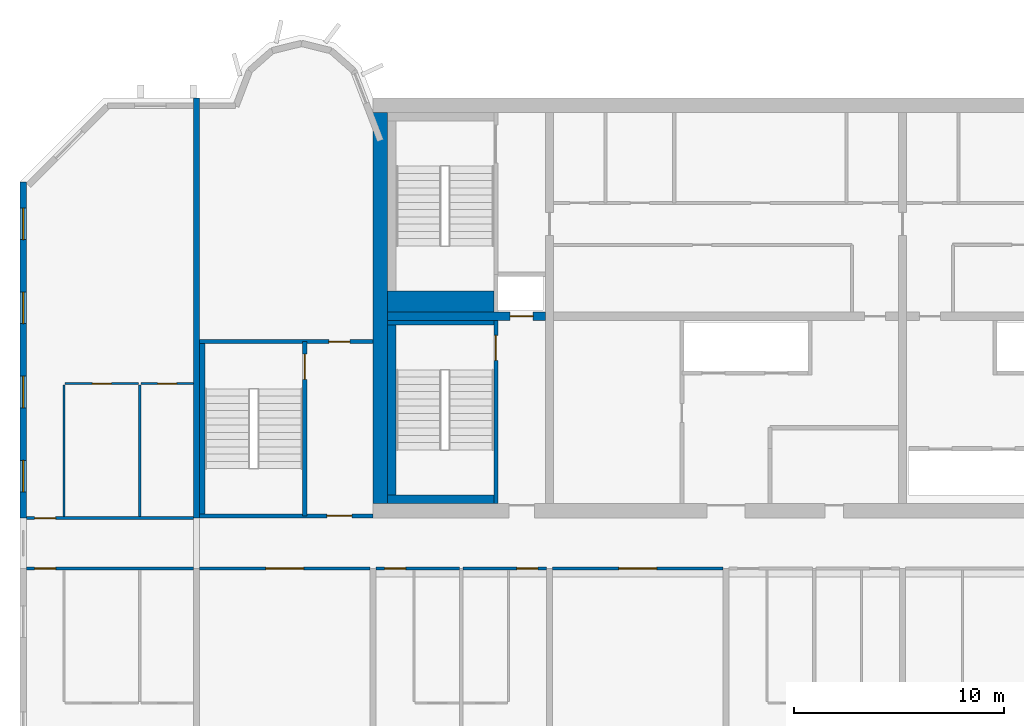
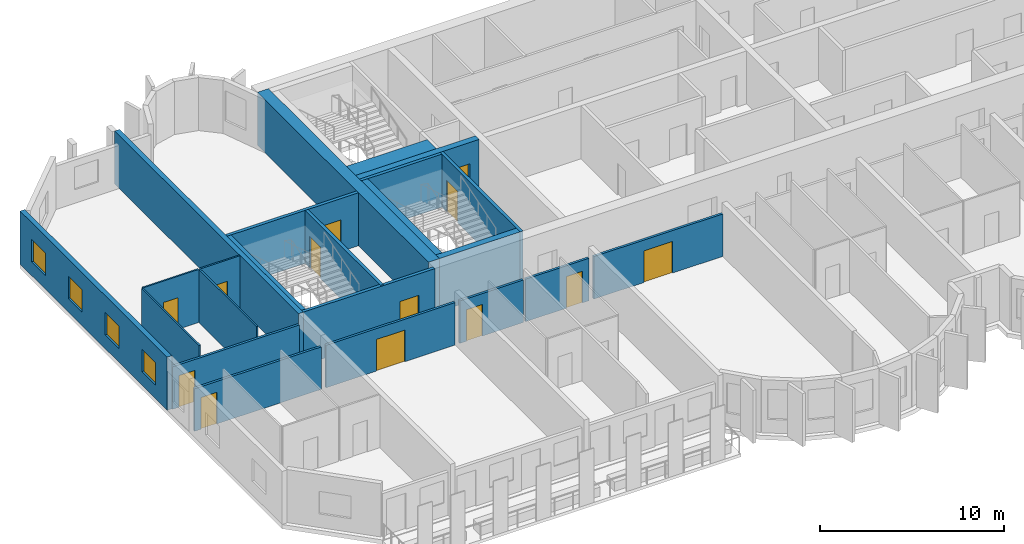
# One storey, part 3 of 13: 23 walls, 13 doors, 4 windows, 17 openings.
"""IFC4 building model written with IfcOpenShell, lengths in metres."""

from ifc_helpers import new_model, si_unit, direction, frame, frame_2d, origin, place, context, subcontext, project, spatial, rectangle, extrude, source, transform, mapped, material, layer, layer_set, type_object, element, fill, save


model = new_model("IFC4")

# Units and contexts
model_context = context("Model", 3, precision=1e-05, world=origin(), true_north=direction((0.0, 1.0)))
body_context = subcontext(model_context, "Body", "Model", "MODEL_VIEW")
ifc_project = project(units=[si_unit("LENGTHUNIT", "METRE"), si_unit("AREAUNIT", "SQUARE_METRE"), si_unit("VOLUMEUNIT", "CUBIC_METRE"), si_unit("PLANEANGLEUNIT", "RADIAN"), si_unit("MASSUNIT", "GRAM", prefix="KILO")], contexts=[model_context])

# Site, building, storey
site_placement = place(None, origin())
site = spatial("IfcSite", under=ifc_project, at=site_placement, CompositionType="ELEMENT")
building_placement = place(site_placement, origin())
building = spatial("IfcBuilding", under=site, at=building_placement, Name="Vanashikhar Sky Hotel", CompositionType="ELEMENT")
storey_placement = place(building_placement, frame((0.0, 0.0, 159.199951171875)))
storey = spatial("IfcBuildingStorey", under=building, at=storey_placement, Name="L38", CompositionType="ELEMENT", Elevation=159.199951171875)

# Wall
ifc_material_1 = material(Name="Concrete M60", Category="concrete")
ifc_layer_1 = layer(ifc_material_1, 0.699951171875)
ifc_layer_set_1 = layer_set([ifc_layer_1], Name="RC core shell wall 700 Concrete M60")
wall_type_1 = type_object("IfcWallType", Name="RC core shell wall 700 Concrete M60", PredefinedType="SHEAR", material=ifc_layer_set_1)
shared_shape_1 = source(origin(), body_context, "Body", "SweptSolid", [
    extrude(rectangle(XDim=18.60009765625, YDim=0.699951171875, at=frame_2d((9.300048828125, 0.0))), origin(), (0.0, 0.0, 1.0), 3.52001953125),
])
wall_1_placement = place(storey_placement, frame((25.550048828125, 22.699951171875, 0.0), z_axis=(0.0, 0.0, 1.0), x_axis=(0.0, 1.0, 0.0)))
element("IfcWall", 1, at=wall_1_placement, inside=storey, type_object=wall_type_1, Name="KW-L38-KW", PredefinedType="SHEAR", context=body_context, shape_type="MappedRepresentation", body=[
    mapped(shared_shape_1, transform((0.0, 0.0, 0.0), scale=1.0)),
])

# Wall, opening, door
ifc_layer_2 = layer(ifc_material_1, 0.39990234375)
ifc_layer_set_2 = layer_set([ifc_layer_2], Name="RC core inner wall 400 Concrete M60")
wall_type_2 = type_object("IfcWallType", Name="RC core inner wall 400 Concrete M60", PredefinedType="SHEAR", material=ifc_layer_set_2)
shared_shape_2 = source(origin(), body_context, "Body", "SweptSolid", [
    extrude(rectangle(XDim=7.5, YDim=0.39990234375, at=frame_2d((3.75, 0.0))), origin(), (0.0, 0.0, 1.0), 3.52001953125),
])
wall_2_placement = place(storey_placement, frame((25.89990234375, 31.60009765625, 0.0), z_axis=(0.0, 0.0, 1.0), x_axis=(1.0, 0.0, 0.0)))
wall_2 = element("IfcWall", 2, at=wall_2_placement, inside=storey, type_object=wall_type_2, Name="KW-L38-KY1", PredefinedType="SHEAR", context=body_context, shape_type="MappedRepresentation", body=[
    mapped(shared_shape_2, transform((0.0, 0.0, 0.0), scale=1.0)),
])
shared_shape_3 = source(origin(), body_context, "Body", "SweptSolid", [
    extrude(rectangle(XDim=1.10009765625, YDim=2.10009765625, at=frame_2d((0.550048828125, 1.050048828125))), frame((0.0, 0.2099609375, 0.0), z_axis=(0.0, -1.0, 0.0), x_axis=(1.0, 0.0, 0.0)), (0.0, 0.0, 1.0), 0.419921875),
])
opening_1_placement = place(wall_2_placement, frame((5.824951171875, 0.0, 0.0)))
opening_1 = element("IfcOpeningElement", 3, at=opening_1_placement, cuts=wall_2, Name="Opening LD", PredefinedType="OPENING", context=body_context, shape_type="MappedRepresentation", body=[
    mapped(shared_shape_3, transform((0.0, 0.0, 0.0), scale=1.0)),
])
ifc_material_2 = material(Name="Stainless steel", Category="steel")
door_type_1 = type_object("IfcDoorType", Name="Lift landing door 1100", OperationType="NOTDEFINED", PredefinedType="DOOR", material=ifc_material_2)
shared_shape_4 = source(origin(), body_context, "Body", "SweptSolid", [
    extrude(rectangle(XDim=1.10009765625, YDim=2.10009765625, at=frame_2d((0.550048828125, 1.050048828125))), frame((0.0, 0.02490234375, 0.0), z_axis=(0.0, -1.0, 0.0), x_axis=(1.0, 0.0, 0.0)), (0.0, 0.0, 1.0), 0.050048828125),
])
door_1_placement = place(opening_1_placement, origin())
door_1 = element("IfcDoor", 4, at=door_1_placement, inside=storey, type_object=door_type_1, Name="Lift landing door 1100", OperationType="SLIDING_TO_RIGHT", OverallHeight=2.10009765625, OverallWidth=1.10009765625, PredefinedType="DOOR", context=body_context, shape_type="MappedRepresentation", body=[
    mapped(shared_shape_4, transform((0.0, 0.0, 0.0), scale=1.0)),
])
fill(opening_1, door_1)

# Wall, openings, windows
ifc_layer_3 = layer(ifc_material_1, 0.300048828125)
ifc_layer_set_3 = layer_set([ifc_layer_3], Name="RC shear wall 300 Concrete M60")
wall_type_3 = type_object("IfcWallType", Name="RC shear wall 300 Concrete M60", PredefinedType="SHEAR", material=ifc_layer_set_3)
shared_shape_5 = source(origin(), body_context, "Body", "SweptSolid", [
    extrude(rectangle(XDim=16.0, YDim=0.300048828125, at=frame_2d((8.0, 0.0))), origin(), (0.0, 0.0, 1.0), 3.52001953125),
])
wall_3_placement = place(storey_placement, frame((8.550048828125, 22.0, 0.0), z_axis=(0.0, 0.0, 1.0), x_axis=(0.0, 1.0, 0.0)))
wall_3 = element("IfcWall", 5, at=wall_3_placement, inside=storey, type_object=wall_type_3, Name="CW-L38-XW02-2", PredefinedType="SHEAR", context=body_context, shape_type="MappedRepresentation", body=[
    mapped(shared_shape_5, transform((0.0, 0.0, 0.0), scale=1.0)),
])
shared_shape_6 = source(origin(), body_context, "Body", "SweptSolid", [
    extrude(rectangle(XDim=1.5, YDim=1.5, at=frame_2d((0.75, 0.75))), frame((0.0, 0.16015625, 0.0), z_axis=(0.0, -1.0, 0.0), x_axis=(1.0, 0.0, 0.0)), (0.0, 0.0, 1.0), 0.320068359375),
])
opening_2_placement = place(wall_3_placement, frame((1.25, 0.0, 0.89990234375)))
opening_2 = element("IfcOpeningElement", 6, at=opening_2_placement, cuts=wall_3, Name="Opening WN-1", PredefinedType="OPENING", context=body_context, shape_type="MappedRepresentation", body=[
    mapped(shared_shape_6, transform((0.0, 0.0, 0.0), scale=1.0)),
])
opening_3_placement = place(wall_3_placement, frame((5.25, 0.0, 0.89990234375)))
opening_3 = element("IfcOpeningElement", 7, at=opening_3_placement, cuts=wall_3, Name="Opening WN-1", PredefinedType="OPENING", context=body_context, shape_type="MappedRepresentation", body=[
    mapped(shared_shape_6, transform((0.0, 0.0, 0.0), scale=1.0)),
])
opening_4_placement = place(wall_3_placement, frame((9.25, 0.0, 0.89990234375)))
opening_4 = element("IfcOpeningElement", 8, at=opening_4_placement, cuts=wall_3, Name="Opening WN-1", PredefinedType="OPENING", context=body_context, shape_type="MappedRepresentation", body=[
    mapped(shared_shape_6, transform((0.0, 0.0, 0.0), scale=1.0)),
])
opening_5_placement = place(wall_3_placement, frame((13.25, 0.0, 0.89990234375)))
opening_5 = element("IfcOpeningElement", 9, at=opening_5_placement, cuts=wall_3, Name="Opening WN-1", PredefinedType="OPENING", context=body_context, shape_type="MappedRepresentation", body=[
    mapped(shared_shape_6, transform((0.0, 0.0, 0.0), scale=1.0)),
])
ifc_material_3 = material(Name="Glass", Category="glass")
window_type = type_object("IfcWindowType", Name="Window 1500 x 1500", PartitioningType="SINGLE_PANEL", PredefinedType="WINDOW", material=ifc_material_3)
shared_shape_7 = source(origin(), body_context, "Body", "SweptSolid", [
    extrude(rectangle(XDim=1.5, YDim=1.5, at=frame_2d((0.75, 0.75))), frame((0.0, 0.030029296875, 0.0), z_axis=(0.0, -1.0, 0.0), x_axis=(1.0, 0.0, 0.0)), (0.0, 0.0, 1.0), 0.06005859375),
])
window_1_placement = place(opening_2_placement, origin())
window_1 = element("IfcWindow", 10, at=window_1_placement, inside=storey, type_object=window_type, Name="Window WN-1", OverallHeight=1.5, OverallWidth=1.5, PartitioningType="SINGLE_PANEL", PredefinedType="WINDOW", context=body_context, shape_type="MappedRepresentation", body=[
    mapped(shared_shape_7, transform((0.0, 0.0, 0.0), scale=1.0)),
])
fill(opening_2, window_1)
window_2_placement = place(opening_3_placement, origin())
window_2 = element("IfcWindow", 11, at=window_2_placement, inside=storey, type_object=window_type, Name="Window WN-1", OverallHeight=1.5, OverallWidth=1.5, PartitioningType="SINGLE_PANEL", PredefinedType="WINDOW", context=body_context, shape_type="MappedRepresentation", body=[
    mapped(shared_shape_7, transform((0.0, 0.0, 0.0), scale=1.0)),
])
fill(opening_3, window_2)
window_3_placement = place(opening_4_placement, origin())
window_3 = element("IfcWindow", 12, at=window_3_placement, inside=storey, type_object=window_type, Name="Window WN-1", OverallHeight=1.5, OverallWidth=1.5, PartitioningType="SINGLE_PANEL", PredefinedType="WINDOW", context=body_context, shape_type="MappedRepresentation", body=[
    mapped(shared_shape_7, transform((0.0, 0.0, 0.0), scale=1.0)),
])
fill(opening_4, window_3)
window_4_placement = place(opening_5_placement, origin())
window_4 = element("IfcWindow", 13, at=window_4_placement, inside=storey, type_object=window_type, Name="Window WN-1", OverallHeight=1.5, OverallWidth=1.5, PartitioningType="SINGLE_PANEL", PredefinedType="WINDOW", context=body_context, shape_type="MappedRepresentation", body=[
    mapped(shared_shape_7, transform((0.0, 0.0, 0.0), scale=1.0)),
])
fill(opening_5, window_4)

# Wall
shared_shape_8 = source(origin(), body_context, "Body", "SweptSolid", [
    extrude(rectangle(XDim=20.0, YDim=0.300048828125, at=frame_2d((10.0, 0.0))), origin(), (0.0, 0.0, 1.0), 3.52001953125),
])
wall_4_placement = place(storey_placement, frame((16.800048828125, 22.0, 0.0), z_axis=(0.0, 0.0, 1.0), x_axis=(0.0, 1.0, 0.0)))
element("IfcWall", 14, at=wall_4_placement, inside=storey, type_object=wall_type_3, Name="CW-L38-XW03-2", PredefinedType="SHEAR", context=body_context, shape_type="MappedRepresentation", body=[
    mapped(shared_shape_8, transform((0.0, 0.0, 0.0), scale=1.0)),
])

# Wall, opening, door
ifc_material_4 = material(Name="Concrete M50", Category="concrete")
ifc_layer_4 = layer(ifc_material_4, 0.199951171875)
ifc_layer_set_4 = layer_set([ifc_layer_4], Name="Stair wall 200")
wall_type_4 = type_object("IfcWallType", Name="Stair wall 200", PredefinedType="SOLIDWALL", material=ifc_layer_set_4)
shared_shape_9 = source(origin(), body_context, "Body", "SweptSolid", [
    extrude(rectangle(XDim=8.2998046875, YDim=0.199951171875, at=frame_2d((4.14990234375, 0.0))), origin(), (0.0, 0.0, 1.0), 3.52001953125),
])
wall_5_placement = place(storey_placement, frame((21.949951171875, 22.10009765625, 0.0), z_axis=(0.0, 0.0, 1.0), x_axis=(0.0, 1.0, 0.0)))
wall_5 = element("IfcWall", 15, at=wall_5_placement, inside=storey, type_object=wall_type_4, Name="Stair wall 200", PredefinedType="SOLIDWALL", context=body_context, shape_type="MappedRepresentation", body=[
    mapped(shared_shape_9, transform((0.0, 0.0, 0.0), scale=1.0)),
])
shared_shape_10 = source(origin(), body_context, "Body", "SweptSolid", [
    extrude(rectangle(XDim=1.199951171875, YDim=2.10009765625, at=frame_2d((0.60009765625, 1.050048828125))), frame((0.0, 0.10986328125, 0.0), z_axis=(0.0, -1.0, 0.0), x_axis=(1.0, 0.0, 0.0)), (0.0, 0.0, 1.0), 0.219970703125),
])
opening_6_placement = place(wall_5_placement, frame((6.5, 0.0, 0.0)))
opening_6 = element("IfcOpeningElement", 16, at=opening_6_placement, cuts=wall_5, Name="Opening DC-1", PredefinedType="OPENING", context=body_context, shape_type="MappedRepresentation", body=[
    mapped(shared_shape_10, transform((0.0, 0.0, 0.0), scale=1.0)),
])
ifc_material_5 = material(Name="Steel", Category="steel")
door_type_2 = type_object("IfcDoorType", Name="Stair door 1200 FD120", OperationType="NOTDEFINED", PredefinedType="DOOR", material=ifc_material_5)
shared_shape_11 = source(origin(), body_context, "Body", "SweptSolid", [
    extrude(rectangle(XDim=1.199951171875, YDim=2.10009765625, at=frame_2d((0.60009765625, 1.050048828125))), frame((0.0, 0.02490234375, 0.0), z_axis=(0.0, -1.0, 0.0), x_axis=(1.0, 0.0, 0.0)), (0.0, 0.0, 1.0), 0.050048828125),
])
door_2_placement = place(opening_6_placement, origin())
door_2 = element("IfcDoor", 17, at=door_2_placement, inside=storey, type_object=door_type_2, Name="Stair door 1200 FD120", OperationType="SINGLE_SWING_LEFT", OverallHeight=2.10009765625, OverallWidth=1.199951171875, PredefinedType="DOOR", context=body_context, shape_type="MappedRepresentation", body=[
    mapped(shared_shape_11, transform((0.0, 0.0, 0.0), scale=1.0)),
])
fill(opening_6, door_2)

shared_shape_12 = source(origin(), body_context, "Body", "SweptSolid", [
    extrude(rectangle(XDim=8.699951171875, YDim=0.199951171875, at=frame_2d((4.35009765625, 0.0))), origin(), (0.0, 0.0, 1.0), 3.52001953125),
])
wall_6_placement = place(storey_placement, frame((31.050048828125, 22.699951171875, 0.0), z_axis=(0.0, 0.0, 1.0), x_axis=(0.0, 1.0, 0.0)))
wall_6 = element("IfcWall", 18, at=wall_6_placement, inside=storey, type_object=wall_type_4, Name="Stair wall 200", PredefinedType="SOLIDWALL", context=body_context, shape_type="MappedRepresentation", body=[
    mapped(shared_shape_12, transform((0.0, 0.0, 0.0), scale=1.0)),
])
opening_7_placement = place(wall_6_placement, frame((6.800048828125, 0.0, 0.0)))
opening_7 = element("IfcOpeningElement", 19, at=opening_7_placement, cuts=wall_6, Name="Opening DC-1", PredefinedType="OPENING", context=body_context, shape_type="MappedRepresentation", body=[
    mapped(shared_shape_10, transform((0.0, 0.0, 0.0), scale=1.0)),
])
door_3_placement = place(opening_7_placement, origin())
door_3 = element("IfcDoor", 20, at=door_3_placement, inside=storey, type_object=door_type_2, Name="Stair door 1200 FD120", OperationType="SINGLE_SWING_LEFT", OverallHeight=2.10009765625, OverallWidth=1.199951171875, PredefinedType="DOOR", context=body_context, shape_type="MappedRepresentation", body=[
    mapped(shared_shape_11, transform((0.0, 0.0, 0.0), scale=1.0)),
])
fill(opening_7, door_3)

shared_shape_13 = source(origin(), body_context, "Body", "SweptSolid", [
    extrude(rectangle(XDim=8.25, YDim=0.199951171875, at=frame_2d((4.125, 0.0))), origin(), (0.0, 0.0, 1.0), 3.52001953125),
])
wall_7_placement = place(storey_placement, frame((16.949951171875, 22.10009765625, 0.0), z_axis=(0.0, 0.0, 1.0), x_axis=(1.0, 0.0, 0.0)))
wall_7 = element("IfcWall", 21, at=wall_7_placement, inside=storey, type_object=wall_type_4, Name="Stair wall 200", PredefinedType="SOLIDWALL", context=body_context, shape_type="MappedRepresentation", body=[
    mapped(shared_shape_13, transform((0.0, 0.0, 0.0), scale=1.0)),
])
opening_8_placement = place(wall_7_placement, frame((6.050048828125, 0.0, 0.0)))
opening_8 = element("IfcOpeningElement", 22, at=opening_8_placement, cuts=wall_7, Name="Opening DC-2", PredefinedType="OPENING", context=body_context, shape_type="MappedRepresentation", body=[
    mapped(shared_shape_10, transform((0.0, 0.0, 0.0), scale=1.0)),
])
door_type_3 = type_object("IfcDoorType", Name="Firefighting lobby door 1200 FD120", OperationType="NOTDEFINED", PredefinedType="DOOR", material=ifc_material_5)
door_4_placement = place(opening_8_placement, origin())
door_4 = element("IfcDoor", 23, at=door_4_placement, inside=storey, type_object=door_type_3, Name="Firefighting lobby door 1200 FD120", OperationType="SINGLE_SWING_LEFT", OverallHeight=2.10009765625, OverallWidth=1.199951171875, PredefinedType="DOOR", context=body_context, shape_type="MappedRepresentation", body=[
    mapped(shared_shape_11, transform((0.0, 0.0, 0.0), scale=1.0)),
])
fill(opening_8, door_4)

wall_8_placement = place(storey_placement, frame((16.949951171875, 30.39990234375, 0.0), z_axis=(0.0, 0.0, 1.0), x_axis=(1.0, 0.0, 0.0)))
wall_8 = element("IfcWall", 24, at=wall_8_placement, inside=storey, type_object=wall_type_4, Name="Stair wall 200", PredefinedType="SOLIDWALL", context=body_context, shape_type="MappedRepresentation", body=[
    mapped(shared_shape_13, transform((0.0, 0.0, 0.0), scale=1.0)),
])
shared_shape_14 = source(origin(), body_context, "Body", "SweptSolid", [
    extrude(rectangle(XDim=1.0, YDim=2.10009765625, at=frame_2d((0.5, 1.050048828125))), frame((0.0, 0.10986328125, 0.0), z_axis=(0.0, -1.0, 0.0), x_axis=(1.0, 0.0, 0.0)), (0.0, 0.0, 1.0), 0.219970703125),
])
opening_9_placement = place(wall_8_placement, frame((6.14990234375, 0.0, 0.0)))
opening_9 = element("IfcOpeningElement", 25, at=opening_9_placement, cuts=wall_8, Name="Opening DC-6", PredefinedType="OPENING", context=body_context, shape_type="MappedRepresentation", body=[
    mapped(shared_shape_14, transform((0.0, 0.0, 0.0), scale=1.0)),
])
door_type_4 = type_object("IfcDoorType", Name="Pocket door 1000 FD60", OperationType="NOTDEFINED", PredefinedType="DOOR", material=ifc_material_5)
shared_shape_15 = source(origin(), body_context, "Body", "SweptSolid", [
    extrude(rectangle(XDim=1.0, YDim=2.10009765625, at=frame_2d((0.5, 1.050048828125))), frame((0.0, 0.02490234375, 0.0), z_axis=(0.0, -1.0, 0.0), x_axis=(1.0, 0.0, 0.0)), (0.0, 0.0, 1.0), 0.050048828125),
])
door_5_placement = place(opening_9_placement, origin())
door_5 = element("IfcDoor", 26, at=door_5_placement, inside=storey, type_object=door_type_4, Name="Pocket door 1000 FD60", OperationType="SINGLE_SWING_LEFT", OverallHeight=2.10009765625, OverallWidth=1.0, PredefinedType="DOOR", context=body_context, shape_type="MappedRepresentation", body=[
    mapped(shared_shape_15, transform((0.0, 0.0, 0.0), scale=1.0)),
])
fill(opening_9, door_5)

# Walls
ifc_layer_5 = layer(ifc_material_4, 0.39990234375)
ifc_layer_set_5 = layer_set([ifc_layer_5], Name="Stair infill wall 400")
wall_type_5 = type_object("IfcWallType", Name="Stair infill wall 400", PredefinedType="SOLIDWALL", material=ifc_layer_set_5)
shared_shape_16 = source(origin(), body_context, "Body", "SweptSolid", [
    extrude(rectangle(XDim=5.050048828125, YDim=0.39990234375, at=frame_2d((2.52490234375, 0.0))), origin(), (0.0, 0.0, 1.0), 3.52001953125),
])
wall_9_placement = place(storey_placement, frame((25.89990234375, 22.89990234375, 0.0), z_axis=(0.0, 0.0, 1.0), x_axis=(1.0, 0.0, 0.0)))
element("IfcWall", 27, at=wall_9_placement, inside=storey, type_object=wall_type_5, Name="Stair infill wall 400", PredefinedType="SOLIDWALL", context=body_context, shape_type="MappedRepresentation", body=[
    mapped(shared_shape_16, transform((0.0, 0.0, 0.0), scale=1.0)),
])
ifc_layer_6 = layer(ifc_material_4, 0.199951171875)
ifc_layer_set_6 = layer_set([ifc_layer_6], Name="Stair infill wall 200")
wall_type_6 = type_object("IfcWallType", Name="Stair infill wall 200", PredefinedType="SOLIDWALL", material=ifc_layer_set_6)
shared_shape_17 = source(origin(), body_context, "Body", "SweptSolid", [
    extrude(rectangle(XDim=5.050048828125, YDim=0.199951171875, at=frame_2d((2.52490234375, 0.0))), origin(), (0.0, 0.0, 1.0), 3.52001953125),
])
wall_10_placement = place(storey_placement, frame((25.89990234375, 31.300048828125, 0.0), z_axis=(0.0, 0.0, 1.0), x_axis=(1.0, 0.0, 0.0)))
element("IfcWall", 28, at=wall_10_placement, inside=storey, type_object=wall_type_6, Name="Stair infill wall 200", PredefinedType="SOLIDWALL", context=body_context, shape_type="MappedRepresentation", body=[
    mapped(shared_shape_17, transform((0.0, 0.0, 0.0), scale=1.0)),
])
shared_shape_18 = source(origin(), body_context, "Body", "SweptSolid", [
    extrude(rectangle(XDim=8.099853515625, YDim=0.39990234375, at=frame_2d((4.0498046875, 0.0))), origin(), (0.0, 0.0, 1.0), 3.52001953125),
])
wall_11_placement = place(storey_placement, frame((26.10009765625, 23.10009765625, 0.0), z_axis=(0.0, 0.0, 1.0), x_axis=(0.0, 1.0, 0.0)))
element("IfcWall", 29, at=wall_11_placement, inside=storey, type_object=wall_type_5, Name="Stair infill wall 400", PredefinedType="SOLIDWALL", context=body_context, shape_type="MappedRepresentation", body=[
    mapped(shared_shape_18, transform((0.0, 0.0, 0.0), scale=1.0)),
])
ifc_layer_7 = layer(ifc_material_4, 0.25)
ifc_layer_set_7 = layer_set([ifc_layer_7], Name="Stair infill wall 250")
wall_type_7 = type_object("IfcWallType", Name="Stair infill wall 250", PredefinedType="SOLIDWALL", material=ifc_layer_set_7)
shared_shape_19 = source(origin(), body_context, "Body", "SweptSolid", [
    extrude(rectangle(XDim=8.10009765625, YDim=0.25, at=frame_2d((4.050048828125, 0.0))), origin(), (0.0, 0.0, 1.0), 3.52001953125),
])
wall_12_placement = place(storey_placement, frame((17.074951171875, 22.199951171875, 0.0), z_axis=(0.0, 0.0, 1.0), x_axis=(0.0, 1.0, 0.0)))
element("IfcWall", 30, at=wall_12_placement, inside=storey, type_object=wall_type_7, Name="Stair infill wall 250", PredefinedType="SOLIDWALL", context=body_context, shape_type="MappedRepresentation", body=[
    mapped(shared_shape_19, transform((0.0, 0.0, 0.0), scale=1.0)),
])
ifc_layer_8 = layer(ifc_material_4, 1.0)
ifc_layer_set_8 = layer_set([ifc_layer_8], Name="Stair infill wall 1000")
wall_type_8 = type_object("IfcWallType", Name="Stair infill wall 1000", PredefinedType="SOLIDWALL", material=ifc_layer_set_8)
shared_shape_20 = source(origin(), body_context, "Body", "SweptSolid", [
    extrude(rectangle(XDim=5.050048828125, YDim=1.0, at=frame_2d((2.52490234375, 0.0))), origin(), (0.0, 0.0, 1.0), 3.52001953125),
])
wall_13_placement = place(storey_placement, frame((25.89990234375, 32.300048828125, 0.0), z_axis=(0.0, 0.0, 1.0), x_axis=(1.0, 0.0, 0.0)))
element("IfcWall", 31, at=wall_13_placement, inside=storey, type_object=wall_type_8, Name="Stair infill wall 1000", PredefinedType="SOLIDWALL", context=body_context, shape_type="MappedRepresentation", body=[
    mapped(shared_shape_20, transform((0.0, 0.0, 0.0), scale=1.0)),
])

# Wall, opening, door
ifc_material_6 = material(Name="Gypsum plasterboard partition")
ifc_layer_9 = layer(ifc_material_6, 0.10009765625)
ifc_layer_set_9 = layer_set([ifc_layer_9], Name="Wet room partition 100")
wall_type_9 = type_object("IfcWallType", Name="Wet room partition 100", PredefinedType="PARTITIONING", material=ifc_layer_set_9)
shared_shape_21 = source(origin(), body_context, "Body", "SweptSolid", [
    extrude(rectangle(XDim=3.5, YDim=0.10009765625, at=frame_2d((1.75, 0.0))), origin(), (0.0, 0.0, 1.0), 3.52001953125),
])
wall_14_placement = place(storey_placement, frame((10.550048828125, 28.39990234375, 0.0), z_axis=(0.0, 0.0, 1.0), x_axis=(1.0, 0.0, 0.0)))
wall_14 = element("IfcWall", 32, at=wall_14_placement, inside=storey, type_object=wall_type_9, Name="W-L38-PW057", PredefinedType="PARTITIONING", context=body_context, shape_type="MappedRepresentation", body=[
    mapped(shared_shape_21, transform((0.0, 0.0, 0.0), scale=1.0)),
])
shared_shape_22 = source(origin(), body_context, "Body", "SweptSolid", [
    extrude(rectangle(XDim=0.89990234375, YDim=2.10009765625, at=frame_2d((0.449951171875, 1.050048828125))), frame((0.0, 0.06005859375, 0.0), z_axis=(0.0, -1.0, 0.0), x_axis=(1.0, 0.0, 0.0)), (0.0, 0.0, 1.0), 0.1201171875),
])
opening_10_placement = place(wall_14_placement, frame((1.300048828125, 0.0, 0.0)))
opening_10 = element("IfcOpeningElement", 33, at=opening_10_placement, cuts=wall_14, Name="Opening D-02", PredefinedType="OPENING", context=body_context, shape_type="MappedRepresentation", body=[
    mapped(shared_shape_22, transform((0.0, 0.0, 0.0), scale=1.0)),
])
ifc_material_7 = material(Name="Timber door", Category="wood")
door_type_5 = type_object("IfcDoorType", Name="Internal door 900", OperationType="NOTDEFINED", PredefinedType="DOOR", material=ifc_material_7)
shared_shape_23 = source(origin(), body_context, "Body", "SweptSolid", [
    extrude(rectangle(XDim=0.89990234375, YDim=2.10009765625, at=frame_2d((0.449951171875, 1.050048828125))), frame((0.0, 0.02490234375, 0.0), z_axis=(0.0, -1.0, 0.0), x_axis=(1.0, 0.0, 0.0)), (0.0, 0.0, 1.0), 0.050048828125),
])
door_6_placement = place(opening_10_placement, origin())
door_6 = element("IfcDoor", 34, at=door_6_placement, inside=storey, type_object=door_type_5, Name="D-L38-032", OperationType="SINGLE_SWING_LEFT", OverallHeight=2.10009765625, OverallWidth=0.89990234375, PredefinedType="DOOR", context=body_context, shape_type="MappedRepresentation", body=[
    mapped(shared_shape_23, transform((0.0, 0.0, 0.0), scale=1.0)),
])
fill(opening_10, door_6)

# Walls
shared_shape_24 = source(origin(), body_context, "Body", "SweptSolid", [
    extrude(rectangle(XDim=6.25, YDim=0.10009765625, at=frame_2d((3.125, 0.0))), origin(), (0.0, 0.0, 1.0), 3.52001953125),
])
for number, where, z_axis, x_axis, name in (
    (35, (10.5, 22.074951171875, 0.0), (0.0, 0.0, 1.0), (0.0, 1.0, 0.0), "W-L38-PW055"),
    (36, (14.10009765625, 22.074951171875, 0.0), (0.0, 0.0, 1.0), (0.0, 1.0, 0.0), "W-L38-PW056"),
):
    element("IfcWall", number, at=place(storey_placement, frame(where, z_axis=z_axis, x_axis=x_axis)), inside=storey, type_object=wall_type_9, Name=name, PredefinedType="PARTITIONING", context=body_context, shape_type="MappedRepresentation", body=[
        mapped(shared_shape_24, transform((0.0, 0.0, 0.0), scale=1.0)),
    ])

# Wall, opening, door
shared_shape_25 = source(origin(), body_context, "Body", "SweptSolid", [
    extrude(rectangle(XDim=2.5, YDim=0.10009765625, at=frame_2d((1.25, 0.0))), origin(), (0.0, 0.0, 1.0), 3.52001953125),
])
wall_15_placement = place(storey_placement, frame((14.14990234375, 28.39990234375, 0.0), z_axis=(0.0, 0.0, 1.0), x_axis=(1.0, 0.0, 0.0)))
wall_15 = element("IfcWall", 37, at=wall_15_placement, inside=storey, type_object=wall_type_9, Name="W-L38-PW058", PredefinedType="PARTITIONING", context=body_context, shape_type="MappedRepresentation", body=[
    mapped(shared_shape_25, transform((0.0, 0.0, 0.0), scale=1.0)),
])
opening_11_placement = place(wall_15_placement, frame((0.800048828125, 0.0, 0.0)))
opening_11 = element("IfcOpeningElement", 38, at=opening_11_placement, cuts=wall_15, Name="Opening D-02", PredefinedType="OPENING", context=body_context, shape_type="MappedRepresentation", body=[
    mapped(shared_shape_22, transform((0.0, 0.0, 0.0), scale=1.0)),
])
door_7_placement = place(opening_11_placement, origin())
door_7 = element("IfcDoor", 39, at=door_7_placement, inside=storey, type_object=door_type_5, Name="D-L38-033", OperationType="SINGLE_SWING_LEFT", OverallHeight=2.10009765625, OverallWidth=0.89990234375, PredefinedType="DOOR", context=body_context, shape_type="MappedRepresentation", body=[
    mapped(shared_shape_23, transform((0.0, 0.0, 0.0), scale=1.0)),
])
fill(opening_11, door_7)

ifc_layer_10 = layer(ifc_material_6, 0.14990234375)
ifc_layer_set_10 = layer_set([ifc_layer_10], Name="Corridor and demising partition 150")
wall_type_10 = type_object("IfcWallType", Name="Corridor and demising partition 150", PredefinedType="PARTITIONING", material=ifc_layer_set_10)
shared_shape_26 = source(origin(), body_context, "Body", "SweptSolid", [
    extrude(rectangle(XDim=7.949951171875, YDim=0.14990234375, at=frame_2d((3.97509765625, 0.0))), origin(), (0.0, 0.0, 1.0), 2.820068359375),
])
wall_16_placement = place(storey_placement, frame((8.699951171875, 19.60009765625, 0.0), z_axis=(0.0, 0.0, 1.0), x_axis=(1.0, 0.0, 0.0)))
wall_16 = element("IfcWall", 40, at=wall_16_placement, inside=storey, type_object=wall_type_10, Name="W-L38-PW005", PredefinedType="PARTITIONING", context=body_context, shape_type="MappedRepresentation", body=[
    mapped(shared_shape_26, transform((0.0, 0.0, 0.0), scale=1.0)),
])
shared_shape_27 = source(origin(), body_context, "Body", "SweptSolid", [
    extrude(rectangle(XDim=1.0, YDim=2.10009765625, at=frame_2d((0.5, 1.050048828125))), frame((0.0, 0.0849609375, 0.0), z_axis=(0.0, -1.0, 0.0), x_axis=(1.0, 0.0, 0.0)), (0.0, 0.0, 1.0), 0.169921875),
])
opening_12_placement = place(wall_16_placement, frame((0.39990234375, 0.0, 0.0)))
opening_12 = element("IfcOpeningElement", 41, at=opening_12_placement, cuts=wall_16, Name="Opening D-01", PredefinedType="OPENING", context=body_context, shape_type="MappedRepresentation", body=[
    mapped(shared_shape_27, transform((0.0, 0.0, 0.0), scale=1.0)),
])
ifc_material_8 = material(Name="Timber fire door", Category="wood")
door_type_6 = type_object("IfcDoorType", Name="Guest entry door 1000 FD30S", OperationType="NOTDEFINED", PredefinedType="DOOR", material=ifc_material_8)
door_8_placement = place(opening_12_placement, origin())
door_8 = element("IfcDoor", 42, at=door_8_placement, inside=storey, type_object=door_type_6, Name="D-L38-003", OperationType="SINGLE_SWING_LEFT", OverallHeight=2.10009765625, OverallWidth=1.0, PredefinedType="DOOR", context=body_context, shape_type="MappedRepresentation", body=[
    mapped(shared_shape_15, transform((0.0, 0.0, 0.0), scale=1.0)),
])
fill(opening_12, door_8)

wall_17_placement = place(storey_placement, frame((8.699951171875, 22.0, 0.0), z_axis=(0.0, 0.0, 1.0), x_axis=(1.0, 0.0, 0.0)))
wall_17 = element("IfcWall", 43, at=wall_17_placement, inside=storey, type_object=wall_type_10, Name="W-L38-PW059", PredefinedType="PARTITIONING", context=body_context, shape_type="MappedRepresentation", body=[
    mapped(shared_shape_26, transform((0.0, 0.0, 0.0), scale=1.0)),
])
opening_13_placement = place(wall_17_placement, frame((0.39990234375, 0.0, 0.0)))
opening_13 = element("IfcOpeningElement", 44, at=opening_13_placement, cuts=wall_17, Name="Opening D-01", PredefinedType="OPENING", context=body_context, shape_type="MappedRepresentation", body=[
    mapped(shared_shape_27, transform((0.0, 0.0, 0.0), scale=1.0)),
])
door_9_placement = place(opening_13_placement, origin())
door_9 = element("IfcDoor", 45, at=door_9_placement, inside=storey, type_object=door_type_6, Name="D-L38-034", OperationType="SINGLE_SWING_LEFT", OverallHeight=2.10009765625, OverallWidth=1.0, PredefinedType="DOOR", context=body_context, shape_type="MappedRepresentation", body=[
    mapped(shared_shape_15, transform((0.0, 0.0, 0.0), scale=1.0)),
])
fill(opening_13, door_9)

shared_shape_28 = source(origin(), body_context, "Body", "SweptSolid", [
    extrude(rectangle(XDim=8.10009765625, YDim=0.14990234375, at=frame_2d((4.050048828125, 0.0))), origin(), (0.0, 0.0, 1.0), 2.820068359375),
])
wall_18_placement = place(storey_placement, frame((16.949951171875, 19.60009765625, 0.0), z_axis=(0.0, 0.0, 1.0), x_axis=(1.0, 0.0, 0.0)))
wall_18 = element("IfcWall", 46, at=wall_18_placement, inside=storey, type_object=wall_type_10, Name="W-L38-PW006", PredefinedType="PARTITIONING", context=body_context, shape_type="MappedRepresentation", body=[
    mapped(shared_shape_28, transform((0.0, 0.0, 0.0), scale=1.0)),
])
shared_shape_29 = source(origin(), body_context, "Body", "SweptSolid", [
    extrude(rectangle(XDim=1.800048828125, YDim=2.10009765625, at=frame_2d((0.89990234375, 1.050048828125))), frame((0.0, 0.0849609375, 0.0), z_axis=(0.0, -1.0, 0.0), x_axis=(1.0, 0.0, 0.0)), (0.0, 0.0, 1.0), 0.169921875),
])
opening_14_placement = place(wall_18_placement, frame((3.14990234375, 0.0, 0.0)))
opening_14 = element("IfcOpeningElement", 47, at=opening_14_placement, cuts=wall_18, Name="Opening D-03", PredefinedType="OPENING", context=body_context, shape_type="MappedRepresentation", body=[
    mapped(shared_shape_29, transform((0.0, 0.0, 0.0), scale=1.0)),
])
door_type_7 = type_object("IfcDoorType", Name="Double leaf door 1800 FD30S", OperationType="NOTDEFINED", PredefinedType="DOOR", material=ifc_material_8)
shared_shape_30 = source(origin(), body_context, "Body", "SweptSolid", [
    extrude(rectangle(XDim=1.800048828125, YDim=2.10009765625, at=frame_2d((0.89990234375, 1.050048828125))), frame((0.0, 0.02490234375, 0.0), z_axis=(0.0, -1.0, 0.0), x_axis=(1.0, 0.0, 0.0)), (0.0, 0.0, 1.0), 0.050048828125),
])
door_10_placement = place(opening_14_placement, origin())
door_10 = element("IfcDoor", 48, at=door_10_placement, inside=storey, type_object=door_type_7, Name="D-L38-004", OperationType="DOUBLE_DOOR_SINGLE_SWING", OverallHeight=2.10009765625, OverallWidth=1.800048828125, PredefinedType="DOOR", context=body_context, shape_type="MappedRepresentation", body=[
    mapped(shared_shape_30, transform((0.0, 0.0, 0.0), scale=1.0)),
])
fill(opening_14, door_10)

wall_19_placement = place(storey_placement, frame((33.75, 19.60009765625, 0.0), z_axis=(0.0, 0.0, 1.0), x_axis=(1.0, 0.0, 0.0)))
wall_19 = element("IfcWall", 49, at=wall_19_placement, inside=storey, type_object=wall_type_10, Name="W-L38-PW014", PredefinedType="PARTITIONING", context=body_context, shape_type="MappedRepresentation", body=[
    mapped(shared_shape_28, transform((0.0, 0.0, 0.0), scale=1.0)),
])
opening_15_placement = place(wall_19_placement, frame((3.14990234375, 0.0, 0.0)))
opening_15 = element("IfcOpeningElement", 50, at=opening_15_placement, cuts=wall_19, Name="Opening D-03", PredefinedType="OPENING", context=body_context, shape_type="MappedRepresentation", body=[
    mapped(shared_shape_29, transform((0.0, 0.0, 0.0), scale=1.0)),
])
door_11_placement = place(opening_15_placement, origin())
door_11 = element("IfcDoor", 51, at=door_11_placement, inside=storey, type_object=door_type_7, Name="D-L38-009", OperationType="DOUBLE_DOOR_SINGLE_SWING", OverallHeight=2.10009765625, OverallWidth=1.800048828125, PredefinedType="DOOR", context=body_context, shape_type="MappedRepresentation", body=[
    mapped(shared_shape_30, transform((0.0, 0.0, 0.0), scale=1.0)),
])
fill(opening_15, door_11)

shared_shape_31 = source(origin(), body_context, "Body", "SweptSolid", [
    extrude(rectangle(XDim=3.974853515625, YDim=0.14990234375, at=frame_2d((1.9873046875, 0.0))), origin(), (0.0, 0.0, 1.0), 2.820068359375),
])
wall_20_placement = place(storey_placement, frame((25.35009765625, 19.60009765625, 0.0), z_axis=(0.0, 0.0, 1.0), x_axis=(1.0, 0.0, 0.0)))
wall_20 = element("IfcWall", 52, at=wall_20_placement, inside=storey, type_object=wall_type_10, Name="W-L38-PW009", PredefinedType="PARTITIONING", context=body_context, shape_type="MappedRepresentation", body=[
    mapped(shared_shape_31, transform((0.0, 0.0, 0.0), scale=1.0)),
])
opening_16_placement = place(wall_20_placement, frame((0.39990234375, 0.0, 0.0)))
opening_16 = element("IfcOpeningElement", 53, at=opening_16_placement, cuts=wall_20, Name="Opening D-01", PredefinedType="OPENING", context=body_context, shape_type="MappedRepresentation", body=[
    mapped(shared_shape_27, transform((0.0, 0.0, 0.0), scale=1.0)),
])
door_12_placement = place(opening_16_placement, origin())
door_12 = element("IfcDoor", 54, at=door_12_placement, inside=storey, type_object=door_type_6, Name="D-L38-006", OperationType="SINGLE_SWING_LEFT", OverallHeight=2.10009765625, OverallWidth=1.0, PredefinedType="DOOR", context=body_context, shape_type="MappedRepresentation", body=[
    mapped(shared_shape_15, transform((0.0, 0.0, 0.0), scale=1.0)),
])
fill(opening_16, door_12)

wall_21_placement = place(storey_placement, frame((29.47509765625, 19.60009765625, 0.0), z_axis=(0.0, 0.0, 1.0), x_axis=(1.0, 0.0, 0.0)))
wall_21 = element("IfcWall", 55, at=wall_21_placement, inside=storey, type_object=wall_type_10, Name="W-L38-PW012", PredefinedType="PARTITIONING", context=body_context, shape_type="MappedRepresentation", body=[
    mapped(shared_shape_31, transform((0.0, 0.0, 0.0), scale=1.0)),
])
opening_17_placement = place(wall_21_placement, frame((2.574951171875, 0.0, 0.0)))
opening_17 = element("IfcOpeningElement", 56, at=opening_17_placement, cuts=wall_21, Name="Opening D-01", PredefinedType="OPENING", context=body_context, shape_type="MappedRepresentation", body=[
    mapped(shared_shape_27, transform((0.0, 0.0, 0.0), scale=1.0)),
])
door_13_placement = place(opening_17_placement, origin())
door_13 = element("IfcDoor", 57, at=door_13_placement, inside=storey, type_object=door_type_6, Name="D-L38-008", OperationType="SINGLE_SWING_RIGHT", OverallHeight=2.10009765625, OverallWidth=1.0, PredefinedType="DOOR", context=body_context, shape_type="MappedRepresentation", body=[
    mapped(shared_shape_15, transform((0.0, 0.0, 0.0), scale=1.0)),
])
fill(opening_17, door_13)

save(model, "model.ifc")
